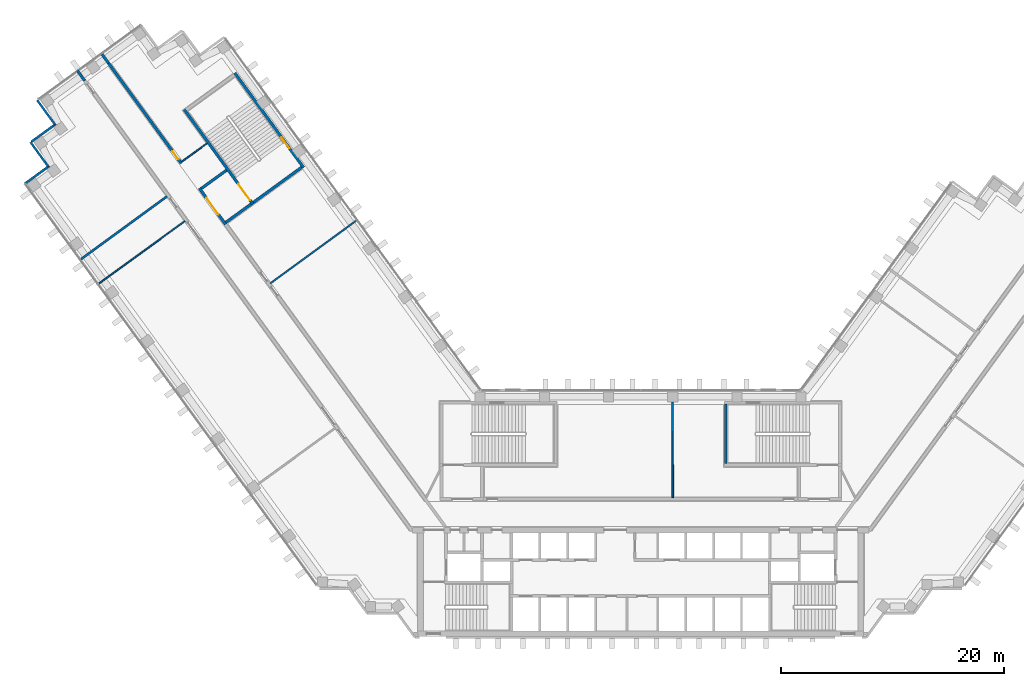
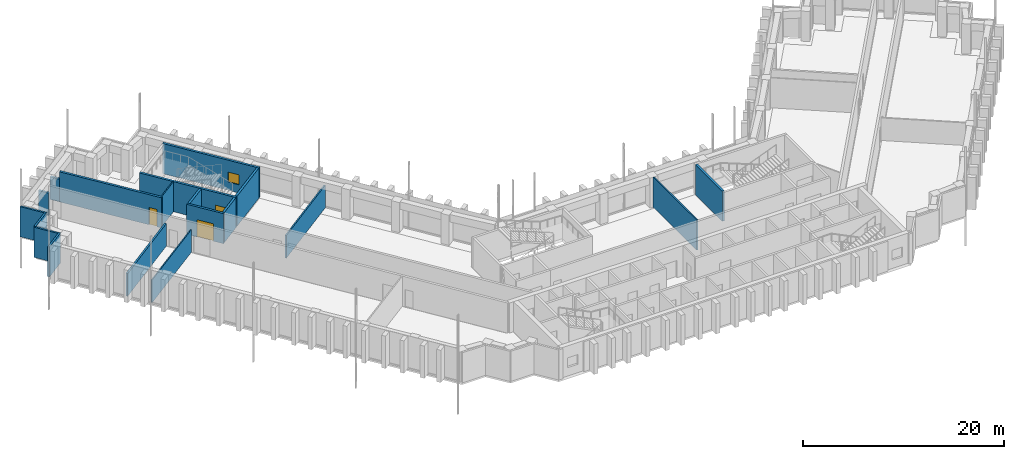
# One storey, part 11 of 16: 19 walls, 3 doors, 1 window, 4 openings.
"""IFC4 building model written with IfcOpenShell, lengths in metres."""

from ifc_helpers import new_model, si_unit, direction, frame, frame_2d, origin, place, context, subcontext, project, spatial, rectangle, extrude, material, layer, layer_set, type_object, element, fill, save


model = new_model("IFC4")

# Units and contexts
model_context = context("Model", 3, precision=1e-05, world=origin(), true_north=direction((0.0, 1.0)))
body_context = subcontext(model_context, "Body", "Model", "MODEL_VIEW")
ifc_project = project(units=[si_unit("LENGTHUNIT", "METRE"), si_unit("AREAUNIT", "SQUARE_METRE"), si_unit("VOLUMEUNIT", "CUBIC_METRE"), si_unit("PLANEANGLEUNIT", "RADIAN"), si_unit("MASSUNIT", "GRAM", prefix="KILO")], contexts=[model_context])

# Site, building, storey
site_placement = place(None, origin())
site = spatial("IfcSite", under=ifc_project, at=site_placement, CompositionType="ELEMENT")
building_placement = place(site_placement, origin())
building = spatial("IfcBuilding", under=site, at=building_placement, Name="Quipu Civic Tower", CompositionType="ELEMENT")
storey_placement = place(building_placement, frame((0.0, 0.0, 113.0)))
storey = spatial("IfcBuildingStorey", under=building, at=storey_placement, Name="L26", CompositionType="ELEMENT", Elevation=113.0)

# Walls
ifc_material_1 = material(Name="Double gypsum plasterboard with mineral wool")
ifc_layer_1 = layer(ifc_material_1, 0.14990234375)
ifc_layer_set_1 = layer_set([ifc_layer_1], Name="Double gypsum plasterboard with mineral wool")
wall_type_1 = type_object("IfcWallType", Name="Acoustic partition 150 plasterboard", PredefinedType="PARTITIONING", material=ifc_layer_set_1)
wall_1_placement = place(storey_placement, frame((-33.22998046875, 20.677001953125, 0.0), z_axis=(0.0, 0.0, 1.0), x_axis=(0.807610282865, 0.589716568371, 0.0)))
element("IfcWall", 1, at=wall_1_placement, inside=storey, type_object=wall_type_1, Name="Partition P03", PredefinedType="PARTITIONING", context=body_context, shape_type="SweptSolid", body=[
    extrude(rectangle(XDim=9.549560546875, YDim=0.14990234375, at=frame_2d((4.77490234375, 0.0))), origin(), (0.0, 0.0, 1.0), 2.75),
])
wall_2_placement = place(storey_placement, frame((2.87890625, 1.449951171875, 0.0), z_axis=(0.0, 0.0, 1.0), x_axis=(-0.002357613104, 0.999997220826, 0.0)))
element("IfcWall", 2, at=wall_2_placement, inside=storey, type_object=wall_type_1, Name="Partition P05", PredefinedType="PARTITIONING", context=body_context, shape_type="SweptSolid", body=[
    extrude(rectangle(XDim=8.594970703125, YDim=0.14990234375, at=frame_2d((4.29736328125, 0.0))), origin(), (0.0, 0.0, 1.0), 3.64990234375),
])
ifc_material_2 = material(Name="Fired clay blockwork", Category="masonry")
ifc_layer_2 = layer(ifc_material_2, 0.199951171875)
ifc_layer_set_2 = layer_set([ifc_layer_2], Name="Fired clay blockwork")
wall_type_2 = type_object("IfcWallType", Name="Blockwork wall 200", PredefinedType="SOLIDWALL", material=ifc_layer_set_2)
wall_3_placement = place(storey_placement, frame((-50.202392578125, 22.85546875, 0.0), z_axis=(0.0, 0.0, 1.0), x_axis=(0.807642555839, 0.589672368352, 0.0)))
element("IfcWall", 3, at=wall_3_placement, inside=storey, type_object=wall_type_2, Name="Partition P08", PredefinedType="SOLIDWALL", context=body_context, shape_type="SweptSolid", body=[
    extrude(rectangle(XDim=9.55078125, YDim=0.199951171875, at=frame_2d((4.775390625, 0.0))), origin(), (0.0, 0.0, 1.0), 2.75),
])
ifc_material_3 = material(Name="Concrete C70/85", Category="concrete")
ifc_layer_3 = layer(ifc_material_3, 0.25)
ifc_layer_set_3 = layer_set([ifc_layer_3], Name="Concrete C70/85")
wall_type_3 = type_object("IfcWallType", Name="Core wall 250", PredefinedType="SHEAR", material=ifc_layer_set_3)
wall_4_placement = place(storey_placement, frame((7.625, 4.5, 0.0), z_axis=(0.0, 0.0, 1.0), x_axis=(0.0, 1.0, 0.0)))
element("IfcWall", 4, at=wall_4_placement, inside=storey, type_object=wall_type_3, Name="Core wall", PredefinedType="SHEAR", context=body_context, shape_type="SweptSolid", body=[
    extrude(rectangle(XDim=5.35009765625, YDim=0.25, at=frame_2d((2.675048828125, 0.0))), origin(), (0.0, 0.0, 1.0), 3.64990234375),
])

# Wall, opening, window
wall_5_placement = place(storey_placement, frame((-30.239501953125, 31.06396484375, 0.0), z_axis=(0.0, 0.0, 1.0), x_axis=(-0.587795589702, 0.809009483706, 0.0)))
wall_5 = element("IfcWall", 5, at=wall_5_placement, inside=storey, type_object=wall_type_3, Name="Core wall", PredefinedType="SHEAR", context=body_context, shape_type="SweptSolid", body=[
    extrude(rectangle(XDim=10.5, YDim=0.25, at=frame_2d((5.25, 0.0))), origin(), (0.0, 0.0, 1.0), 3.64990234375),
])
opening_1_placement = place(wall_5_placement, frame((2.14990234375, 0.0, 1.0)))
opening_1 = element("IfcOpeningElement", 6, at=opening_1_placement, cuts=wall_5, Name="Opening SV-6", PredefinedType="OPENING", context=body_context, shape_type="SweptSolid", body=[
    extrude(rectangle(XDim=1.199951171875, YDim=1.199951171875, at=frame_2d((0.60009765625, 0.60009765625))), frame((0.0, 0.135009765625, 0.0), z_axis=(0.0, -1.0, 0.0), x_axis=(1.0, 0.0, 0.0)), (0.0, 0.0, 1.0), 0.27001953125),
])
ifc_material_4 = material(Name="Aluminium louvre", Category="aluminium")
window_type = type_object("IfcWindowType", Name="Stair ventilation louvre 1200 x 1200", PartitioningType="SINGLE_PANEL", PredefinedType="WINDOW", material=ifc_material_4)
window_placement = place(opening_1_placement, origin())
window = element("IfcWindow", 7, at=window_placement, inside=storey, type_object=window_type, Name="Stair ventilation opening", OverallHeight=1.199951171875, OverallWidth=1.199951171875, PartitioningType="SINGLE_PANEL", PredefinedType="WINDOW", context=body_context, shape_type="SweptSolid", body=[
    extrude(rectangle(XDim=1.199951171875, YDim=1.199951171875, at=frame_2d((0.60009765625, 0.60009765625))), frame((0.0, 0.030029296875, 0.0), z_axis=(0.0, -1.0, 0.0), x_axis=(1.0, 0.0, 0.0)), (0.0, 0.0, 1.0), 0.06005859375),
])
fill(opening_1, window)

# Wall
wall_6_placement = place(storey_placement, frame((-30.414306640625, 31.091796875, 0.0), z_axis=(0.0, 0.0, 1.0), x_axis=(-0.8089984606, -0.587810760999, 0.0)))
element("IfcWall", 8, at=wall_6_placement, inside=storey, type_object=wall_type_3, Name="Core wall", PredefinedType="SHEAR", context=body_context, shape_type="SweptSolid", body=[
    extrude(rectangle(XDim=5.35009765625, YDim=0.25, at=frame_2d((2.675048828125, 0.0))), origin(), (0.0, 0.0, 1.0), 3.64990234375),
])

# Wall, opening, door
wall_7_placement = place(storey_placement, frame((-40.94189453125, 36.26708984375, 0.0), z_axis=(0.0, 0.0, 1.0), x_axis=(0.587795589702, -0.809009483706, 0.0)))
wall_7 = element("IfcWall", 9, at=wall_7_placement, inside=storey, type_object=wall_type_3, Name="Core wall", PredefinedType="SHEAR", context=body_context, shape_type="SweptSolid", body=[
    extrude(rectangle(XDim=10.5, YDim=0.25, at=frame_2d((5.25, 0.0))), origin(), (0.0, 0.0, 1.0), 3.64990234375),
])
opening_2_placement = place(wall_7_placement, frame((8.25, 0.0, 0.0)))
opening_2 = element("IfcOpeningElement", 10, at=opening_2_placement, cuts=wall_7, Name="Opening CD-18", PredefinedType="OPENING", context=body_context, shape_type="SweptSolid", body=[
    extrude(rectangle(XDim=1.800048828125, YDim=2.10009765625, at=frame_2d((0.89990234375, 1.050048828125))), frame((0.0, 0.135009765625, 0.0), z_axis=(0.0, -1.0, 0.0), x_axis=(1.0, 0.0, 0.0)), (0.0, 0.0, 1.0), 0.27001953125),
])
ifc_material_5 = material(Name="Fire rated steel door", Category="steel")
door_type_1 = type_object("IfcDoorType", Name="Fire door FD90 double 1800 x 2100", OperationType="NOTDEFINED", PredefinedType="DOOR", material=ifc_material_5)
door_1_placement = place(opening_2_placement, origin())
door_1 = element("IfcDoor", 11, at=door_1_placement, inside=storey, type_object=door_type_1, Name="Door", OperationType="DOUBLE_DOOR_SINGLE_SWING", OverallHeight=2.10009765625, OverallWidth=1.800048828125, PredefinedType="DOOR", context=body_context, shape_type="SweptSolid", body=[
    extrude(rectangle(XDim=1.800048828125, YDim=2.10009765625, at=frame_2d((0.89990234375, 1.050048828125))), frame((0.0, 0.02490234375, 0.0), z_axis=(0.0, -1.0, 0.0), x_axis=(1.0, 0.0, 0.0)), (0.0, 0.0, 1.0), 0.050048828125),
])
fill(opening_2, door_1)

# Walls
for number, where, z_axis, x_axis, name in (
    (12, (-34.944580078125, 27.800048828125, 0.0), (0.0, 0.0, 1.0), (-0.809041377956, -0.587751689708, 0.0), "Core wall"),
    (13, (-37.14892578125, 30.833984375, 0.0), (0.0, 0.0, 1.0), (-0.808969789945, -0.58785021813, 0.0), "Core wall"),
):
    element("IfcWall", number, at=place(storey_placement, frame(where, z_axis=z_axis, x_axis=x_axis)), inside=storey, type_object=wall_type_3, Name=name, PredefinedType="SHEAR", context=body_context, shape_type="SweptSolid", body=[
        extrude(rectangle(XDim=2.800048828125, YDim=0.25, at=frame_2d((1.39990234375, 0.0))), origin(), (0.0, 0.0, 1.0), 3.64990234375),
    ])

# Wall, opening, door
wall_8_placement = place(storey_placement, frame((-39.588623046875, 29.2158203125, 0.0), z_axis=(0.0, 0.0, 1.0), x_axis=(0.587772420479, -0.809026317077, 0.0)))
wall_8 = element("IfcWall", 14, at=wall_8_placement, inside=storey, type_object=wall_type_3, Name="Core wall", PredefinedType="SHEAR", context=body_context, shape_type="SweptSolid", body=[
    extrude(rectangle(XDim=4.0, YDim=0.25, at=frame_2d((2.0, 0.0))), origin(), (0.0, 0.0, 1.0), 3.64990234375),
])
opening_3_placement = place(wall_8_placement, frame((1.10009765625, 0.0, 0.0)))
opening_3 = element("IfcOpeningElement", 15, at=opening_3_placement, cuts=wall_8, Name="Opening CD-19", PredefinedType="OPENING", context=body_context, shape_type="SweptSolid", body=[
    extrude(rectangle(XDim=1.800048828125, YDim=2.10009765625, at=frame_2d((0.89990234375, 1.050048828125))), frame((0.0, 0.135009765625, 0.0), z_axis=(0.0, -1.0, 0.0), x_axis=(1.0, 0.0, 0.0)), (0.0, 0.0, 1.0), 0.27001953125),
])
door_2_placement = place(opening_3_placement, origin())
door_2 = element("IfcDoor", 16, at=door_2_placement, inside=storey, type_object=door_type_1, Name="Lobby door", OperationType="DOUBLE_DOOR_SINGLE_SWING", OverallHeight=2.10009765625, OverallWidth=1.800048828125, PredefinedType="DOOR", context=body_context, shape_type="SweptSolid", body=[
    extrude(rectangle(XDim=1.800048828125, YDim=2.10009765625, at=frame_2d((0.89990234375, 1.050048828125))), frame((0.0, 0.02490234375, 0.0), z_axis=(0.0, -1.0, 0.0), x_axis=(1.0, 0.0, 0.0)), (0.0, 0.0, 1.0), 0.050048828125),
])
fill(opening_3, door_2)

ifc_material_6 = material(Name="Concrete C50/60", Category="concrete")
ifc_layer_4 = layer(ifc_material_6, 0.25)
ifc_layer_set_4 = layer_set([ifc_layer_4], Name="Concrete C50/60")
wall_type_4 = type_object("IfcWallType", Name="Corridor wall 250 concrete", PredefinedType="SOLIDWALL", material=ifc_layer_set_4)
wall_9_placement = place(storey_placement, frame((-47.724853515625, 40.414306640625, 0.0), z_axis=(0.0, 0.0, 1.0), x_axis=(0.587773291021, -0.809025684612, 0.0)))
wall_9 = element("IfcWall", 17, at=wall_9_placement, inside=storey, type_object=wall_type_4, Name="Corridor wall C03", PredefinedType="SOLIDWALL", context=body_context, shape_type="SweptSolid", body=[
    extrude(rectangle(XDim=11.07861328125, YDim=0.25, at=frame_2d((5.539306640625, 0.0))), origin(), (0.0, 0.0, 1.0), 3.64990234375),
])
opening_4_placement = place(wall_9_placement, frame((9.737060546875, 0.0, 0.0)))
opening_4 = element("IfcOpeningElement", 18, at=opening_4_placement, cuts=wall_9, Name="Opening D008", PredefinedType="OPENING", context=body_context, shape_type="SweptSolid", body=[
    extrude(rectangle(XDim=0.89990234375, YDim=2.10009765625, at=frame_2d((0.449951171875, 1.050048828125))), frame((0.0, 0.135009765625, 0.0), z_axis=(0.0, -1.0, 0.0), x_axis=(1.0, 0.0, 0.0)), (0.0, 0.0, 1.0), 0.27001953125),
])
ifc_material_7 = material(Name="Fire rated timber door set with metal frame", Category="wood")
door_type_2 = type_object("IfcDoorType", Name="Single door 900 x 2100 FD60", OperationType="NOTDEFINED", PredefinedType="DOOR", material=ifc_material_7)
door_3_placement = place(opening_4_placement, origin())
door_3 = element("IfcDoor", 19, at=door_3_placement, inside=storey, type_object=door_type_2, Name="Door D008", OperationType="SINGLE_SWING_RIGHT", OverallHeight=2.10009765625, OverallWidth=0.89990234375, PredefinedType="DOOR", context=body_context, shape_type="SweptSolid", body=[
    extrude(rectangle(XDim=0.89990234375, YDim=2.10009765625, at=frame_2d((0.449951171875, 1.050048828125))), frame((0.0, 0.02490234375, 0.0), z_axis=(0.0, -1.0, 0.0), x_axis=(1.0, 0.0, 0.0)), (0.0, 0.0, 1.0), 0.050048828125),
])
fill(opening_4, door_3)

# Walls
wall_10_placement = place(storey_placement, frame((-49.86865234375, 38.8564453125, 0.0), z_axis=(0.0, 0.0, 1.0), x_axis=(-0.587674273289, 0.809097613712, 0.0)))
element("IfcWall", 20, at=wall_10_placement, inside=storey, type_object=wall_type_4, Name="Corridor wall C02", PredefinedType="SOLIDWALL", context=body_context, shape_type="SweptSolid", body=[
    extrude(rectangle(XDim=1.109130859375, YDim=0.25, at=frame_2d((0.5546875, 0.0))), origin(), (0.0, 0.0, 1.0), 2.75),
])
wall_11_placement = place(storey_placement, frame((-47.724853515625, 40.414306640625, 0.0), z_axis=(0.0, 0.0, 1.0), x_axis=(-0.587840411638, 0.808976915892, 0.0)))
element("IfcWall", 21, at=wall_11_placement, inside=storey, type_object=wall_type_4, Name="Corridor wall C03", PredefinedType="SOLIDWALL", context=body_context, shape_type="SweptSolid", body=[
    extrude(rectangle(XDim=1.008056640625, YDim=0.25, at=frame_2d((0.50390625, 0.0))), origin(), (0.0, 0.0, 1.0), 2.75),
])
ifc_material_8 = material(Name="Gypsum plasterboard on light gauge framing")
ifc_layer_5 = layer(ifc_material_8, 0.1201171875)
ifc_layer_set_5 = layer_set([ifc_layer_5], Name="Gypsum plasterboard on light gauge framing")
wall_type_5 = type_object("IfcWallType", Name="Partition 120 plasterboard", PredefinedType="PARTITIONING", material=ifc_layer_set_5)
wall_12_placement = place(storey_placement, frame((-40.878173828125, 26.269775390625, 0.0), z_axis=(0.0, 0.0, 1.0), x_axis=(-0.809102944047, -0.587666934526, 0.0)))
element("IfcWall", 22, at=wall_12_placement, inside=storey, type_object=wall_type_5, Name="Partition P06", PredefinedType="PARTITIONING", context=body_context, shape_type="SweptSolid", body=[
    extrude(rectangle(XDim=9.550048828125, YDim=0.1201171875, at=frame_2d((4.77490234375, 0.0))), origin(), (0.0, 0.0, 1.0), 2.75),
])
wall_13_placement = place(storey_placement, frame((-41.166015625, 31.59912109375, 0.0), z_axis=(0.0, 0.0, 1.0), x_axis=(0.809090262332, 0.587684394381, 0.0)))
element("IfcWall", 23, at=wall_13_placement, inside=storey, type_object=wall_type_5, Name="Partition P10", PredefinedType="PARTITIONING", context=body_context, shape_type="SweptSolid", body=[
    extrude(rectangle(XDim=2.80078125, YDim=0.1201171875, at=frame_2d((1.400390625, 0.0))), origin(), (0.0, 0.0, 1.0), 3.64990234375),
])
ifc_material_9 = material(Name="Precast concrete C40/50", Category="concrete")
wall_type_6 = type_object("IfcWallType", Name="Precast cladding wall", PredefinedType="SOLIDWALL", material=ifc_material_9)
for number, where, z_axis, x_axis, name in (
    (24, (-54.140380859375, 37.12255859375, 0.0), (0.0, 0.0, 1.0), (0.587822180636, -0.808990163075, 0.0), "Precast cladding wall L26 P10"),
    (25, (-52.46533203125, 34.9873046875, 0.0), (0.0, 0.0, 1.0), (-0.809033161865, -0.587762999008, 0.0), "Precast cladding wall L26 P11"),
):
    element("IfcWall", number, at=place(storey_placement, frame(where, z_axis=z_axis, x_axis=x_axis)), inside=storey, type_object=wall_type_6, Name=name, PredefinedType="SOLIDWALL", context=body_context, shape_type="SweptSolid", body=[
        extrude(rectangle(XDim=2.699951171875, YDim=0.199951171875, at=frame_2d((1.35009765625, 0.0))), origin(), (0.0, 0.0, 1.0), 3.64990234375),
    ])
wall_14_placement = place(storey_placement, frame((-54.73779296875, 33.351318359375, 0.0), z_axis=(0.0, 0.0, 1.0), x_axis=(0.587779184282, -0.809021403008, 0.0)))
element("IfcWall", 26, at=wall_14_placement, inside=storey, type_object=wall_type_6, Name="Precast cladding wall L26 P12", PredefinedType="SOLIDWALL", context=body_context, shape_type="SweptSolid", body=[
    extrude(rectangle(XDim=2.7001953125, YDim=0.199951171875, at=frame_2d((1.35009765625, 0.0))), origin(), (0.0, 0.0, 1.0), 3.64990234375),
])
wall_15_placement = place(storey_placement, frame((-53.062744140625, 31.2158203125, 0.0), z_axis=(0.0, 0.0, 1.0), x_axis=(-0.809033161865, -0.587762999008, 0.0)))
element("IfcWall", 27, at=wall_15_placement, inside=storey, type_object=wall_type_6, Name="Precast cladding wall L26 P13", PredefinedType="SOLIDWALL", context=body_context, shape_type="SweptSolid", body=[
    extrude(rectangle(XDim=2.699951171875, YDim=0.199951171875, at=frame_2d((1.35009765625, 0.0))), origin(), (0.0, 0.0, 1.0), 3.64990234375),
])

save(model, "model.ifc")
